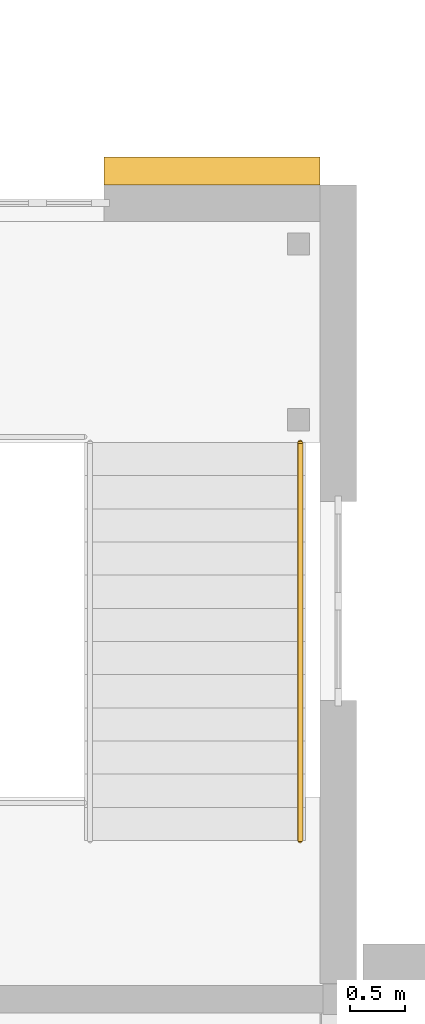
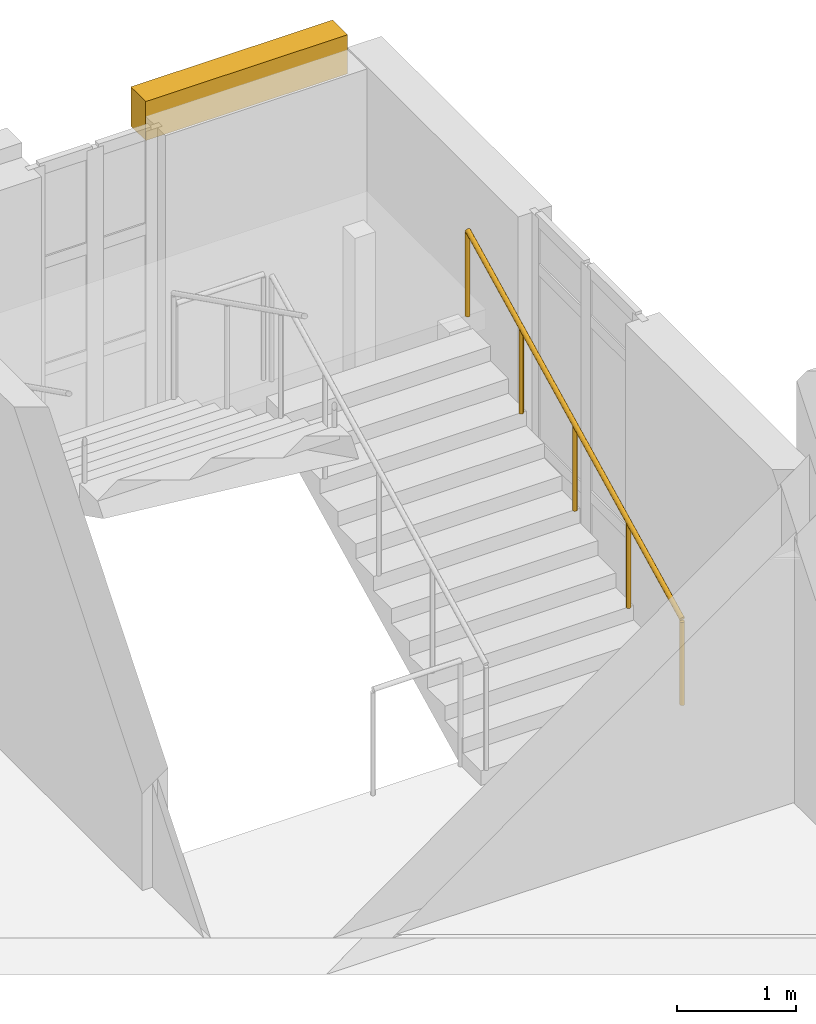
# One storey, part 66 of 69: 1 covering, 1 railing.
"""IFC4 building model written with IfcOpenShell, lengths in metres."""

from ifc_helpers import new_model, si_unit, direction, frame, origin, origin_2d, place, context, subcontext, project, spatial, polyline, circle, outline, extrude, material, layer, layer_set, type_object, element, save


model = new_model("IFC4")

# Units and contexts
model_context = context("Model", 3, precision=1e-05, world=origin(), true_north=direction((0.0, 1.0)))
body_context = subcontext(model_context, "Body", "Model", "MODEL_VIEW")
ifc_project = project(units=[si_unit("LENGTHUNIT", "METRE"), si_unit("AREAUNIT", "SQUARE_METRE"), si_unit("VOLUMEUNIT", "CUBIC_METRE"), si_unit("PLANEANGLEUNIT", "RADIAN"), si_unit("MASSUNIT", "GRAM", prefix="KILO")], contexts=[model_context])

# Site, building, storey
site_placement = place(None, origin())
site = spatial("IfcSite", under=ifc_project, at=site_placement, CompositionType="ELEMENT")
building_placement = place(site_placement, origin())
building = spatial("IfcBuilding", under=site, at=building_placement, Name="Mazhai Court Health Centre", CompositionType="ELEMENT")
storey_placement = place(building_placement, frame((0.0, 0.0, 6.300048828125)))
storey = spatial("IfcBuildingStorey", under=building, at=storey_placement, Name="L01", CompositionType="ELEMENT", Elevation=6.300048828125)

# Covering
ifc_material_1 = material(Name="Clay brick masonry", Category="masonry")
ifc_layer = layer(ifc_material_1, 0.25)
ifc_layer_set = layer_set([ifc_layer], Name="BRICK BAND 250")
covering_type = type_object("IfcCoveringType", Name="BRICK BAND 250", PredefinedType="MOLDING", material=ifc_layer_set)
covering_placement = place(storey_placement, frame((0.0, 0.0, 2.949951171875)))
element("IfcCovering", 1, at=covering_placement, inside=storey, type_object=covering_type, Name="EB-V6-L01-Ep2-0", PredefinedType="MOLDING", context=body_context, shape_type="SweptSolid", body=[
    extrude(outline(polyline([(148.080078125, 49.56494140625), (150.034912109375, 49.56494140625), (150.034912109375, 49.81494140625), (148.080078125, 49.81494140625), (148.080078125, 49.56494140625)])), origin(), (0.0, 0.0, 1.0), 0.39990234375),
])

# Railing
ifc_material_2 = material(Name="Steel IS 2062 E250", Category="steel")
railing_type = type_object("IfcRailingType", Name="STAIR HANDRAIL 900", PredefinedType="HANDRAIL", material=ifc_material_2)
railing_placement = place(storey_placement, frame((149.85498046875, 43.635009765625, 0.14990234375)))
element("IfcRailing", 2, at=railing_placement, inside=storey, type_object=railing_type, Name="L01 ST10 stair handrail 1", PredefinedType="HANDRAIL", context=body_context, shape_type="SweptSolid", body=[
    extrude(circle(Radius=0.02392578125, at=origin_2d()), frame((0.0, 0.0, 0.8759765625), z_axis=(0.0, 0.894427191, 0.4472135955), x_axis=(-1.0, 0.0, 0.0)), (0.0, 0.0, 1.0), 4.025146484375),
    extrude(circle(Radius=0.02099609375, at=origin_2d()), origin(), (0.0, 0.0, 1.0), 0.851806640625),
    extrude(circle(Radius=0.02099609375, at=origin_2d()), frame((0.0, 0.89990234375, 0.449951171875)), (0.0, 0.0, 1.0), 0.851806640625),
    extrude(circle(Radius=0.02099609375, at=origin_2d()), frame((0.0, 1.800048828125, 0.89990234375)), (0.0, 0.0, 1.0), 0.851806640625),
    extrude(circle(Radius=0.02099609375, at=origin_2d()), frame((0.0, 2.7001953125, 1.35009765625)), (0.0, 0.0, 1.0), 0.851806640625),
    extrude(circle(Radius=0.02099609375, at=origin_2d()), frame((0.0, 3.60009765625, 1.800048828125)), (0.0, 0.0, 1.0), 0.851806640625),
])

save(model, "model.ifc")
